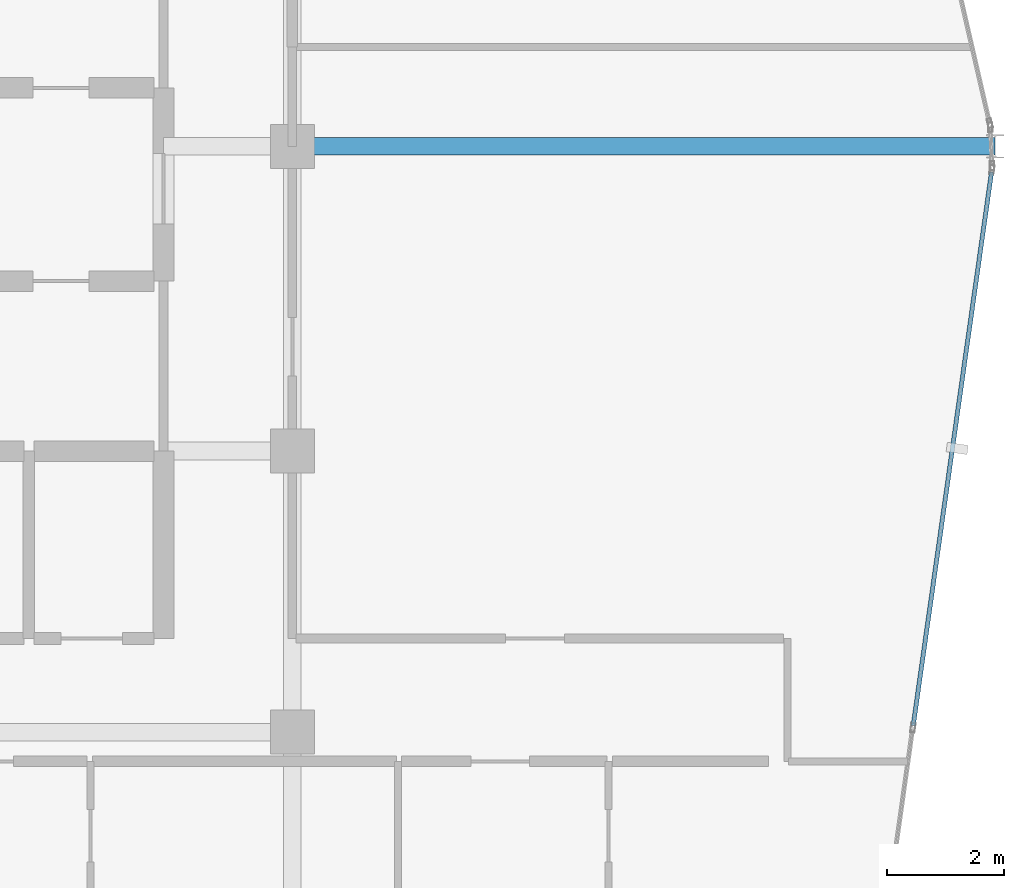
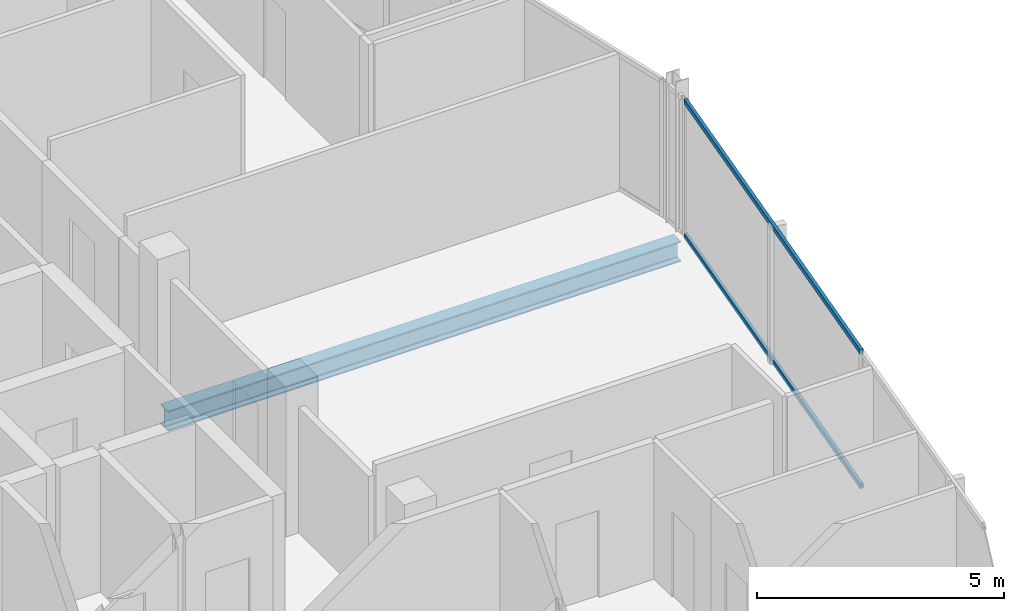
# One storey, part 13 of 28: 2 members, 1 beam, 1 element without a shape of its own.
"""IFC4 building model written with IfcOpenShell, lengths in metres."""

from ifc_helpers import new_model, si_unit, direction, frame, origin, origin_2d, place, context, subcontext, project, spatial, hollow_rectangle, i_section, extrude, material, layer, layer_set, material_profile, profile_set, type_object, element, aggregate, save


model = new_model("IFC4")

# Units and contexts
model_context = context("Model", 3, precision=1e-05, world=origin(), true_north=direction((0.0, 1.0)))
body_context = subcontext(model_context, "Body", "Model", "MODEL_VIEW")
ifc_project = project(units=[si_unit("LENGTHUNIT", "METRE"), si_unit("AREAUNIT", "SQUARE_METRE"), si_unit("VOLUMEUNIT", "CUBIC_METRE"), si_unit("PLANEANGLEUNIT", "RADIAN"), si_unit("MASSUNIT", "GRAM", prefix="KILO")], contexts=[model_context])

# Site, building, storey
site_placement = place(None, origin())
site = spatial("IfcSite", under=ifc_project, at=site_placement, CompositionType="ELEMENT")
building_placement = place(site_placement, origin())
building = spatial("IfcBuilding", under=site, at=building_placement, Name="Keshet Zoharim Tower", CompositionType="ELEMENT")
storey_placement = place(building_placement, frame((0.0, 0.0, 251.0)))
storey = spatial("IfcBuildingStorey", under=building, at=storey_placement, Name="L62", CompositionType="ELEMENT", Elevation=251.0)

# Beam
ifc_material_1 = material(Name="Steel S355", Category="steel")
ifc_material_profile_1 = material_profile(ifc_material_1, i_section(OverallWidth=0.300048828125, OverallDepth=0.5, WebThickness=0.014404296875, FlangeThickness=0.028076171875, FilletRadius=0.027099609375, at=origin_2d()), Name="HEB500")
ifc_profile_set_1 = profile_set([ifc_material_profile_1], Name="Steel S355")
beam_type = type_object("IfcBeamType", Name="BM-MED-HB500", PredefinedType="BEAM", material=ifc_profile_set_1)
beam_placement = place(storey_placement, frame((33.0, 27.89990234375, -0.56005859375), z_axis=(1.0, 0.0, 0.0), x_axis=(0.0, 1.0, 0.0)))
element("IfcBeam", 1, at=beam_placement, inside=storey, type_object=beam_type, Name="L62 Primary Girder X-007", PredefinedType="BEAM", context=body_context, shape_type="SweptSolid", body=[
    extrude(i_section(OverallWidth=0.300048828125, OverallDepth=0.5, WebThickness=0.014404296875, FlangeThickness=0.028076171875, FilletRadius=0.027099609375, at=origin_2d()), origin(), (0.0, 0.0, 1.0), 12.0),
])

# Curtain wall, members
ifc_material_2 = material(Name="Aluminium 6063-T6", Category="aluminium")
ifc_layer = layer(ifc_material_2, 0.260009765625)
ifc_layer_set = layer_set([ifc_layer], Name="Aluminium 6063-T6")
curtain_wall_type = type_object("IfcCurtainWallType", Name="CW-SYS-06", PredefinedType="NOTDEFINED", material=ifc_layer_set)
curtain_wall_placement = place(storey_placement, origin())
curtain_wall = element("IfcCurtainWall", 2, at=curtain_wall_placement, inside=storey, type_object=curtain_wall_type, Name="L62 Unitised Curtain Wall 11", PredefinedType="NOTDEFINED")
ifc_material_profile_2 = material_profile(ifc_material_2, hollow_rectangle(XDim=0.074951171875, YDim=0.1201171875, WallThickness=0.00390625, at=origin_2d()), Name="TRN-75x120")
ifc_profile_set_2 = profile_set([ifc_material_profile_2], Name="Aluminium 6063-T6")
member_type = type_object("IfcMemberType", Name="CWT-T12", PredefinedType="USERDEFINED", material=ifc_profile_set_2)
member_1_placement = place(storey_placement, frame((44.938232421875, 27.462646484375, 0.034912109375), z_axis=(-0.140150169695, -0.990130259074, 0.0), x_axis=(0.990130259074, -0.140150169695, 0.0)))
member_1 = element("IfcMember", 3, at=member_1_placement, type_object=member_type, Name="CW-06 transom 1.1", ObjectType="TRANSOM", PredefinedType="USERDEFINED", context=body_context, shape_type="SweptSolid", body=[
    extrude(hollow_rectangle(XDim=0.074951171875, YDim=0.1201171875, WallThickness=0.00390625, at=origin_2d()), origin(), (0.0, 0.0, 1.0), 9.546142578125),
])
member_2_placement = place(storey_placement, frame((44.938232421875, 27.462646484375, 3.35498046875), z_axis=(-0.140150169695, -0.990130259074, 0.0), x_axis=(0.990130259074, -0.140150169695, 0.0)))
member_2 = element("IfcMember", 4, at=member_2_placement, type_object=member_type, Name="CW-06 transom 1.2", ObjectType="TRANSOM", PredefinedType="USERDEFINED", context=body_context, shape_type="SweptSolid", body=[
    extrude(hollow_rectangle(XDim=0.074951171875, YDim=0.1201171875, WallThickness=0.00390625, at=origin_2d()), origin(), (0.0, 0.0, 1.0), 9.546142578125),
])
aggregate(curtain_wall, [member_1, member_2])

save(model, "model.ifc")
